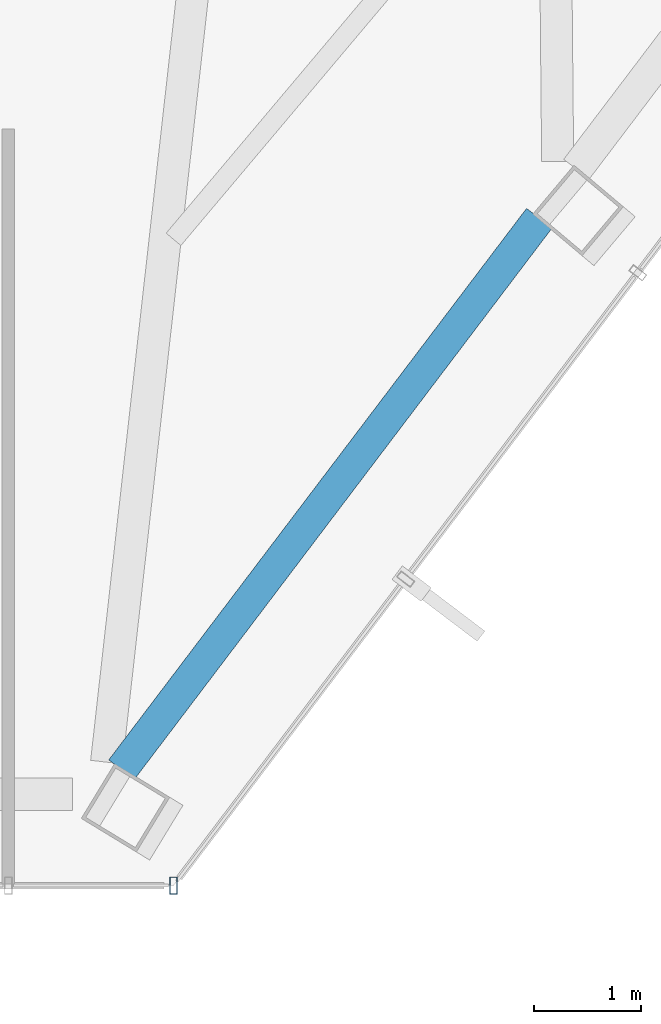
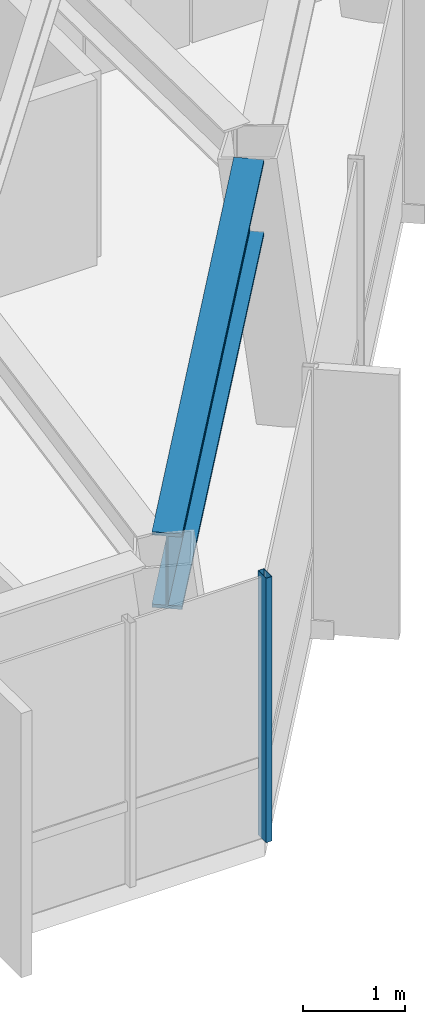
# One storey, part 7 of 27: 1 beam, 1 member, 1 element without a shape of its own.
"""IFC4 building model written with IfcOpenShell, lengths in metres."""

from ifc_helpers import new_model, si_unit, direction, frame, origin, origin_2d, place, context, subcontext, project, spatial, hollow_rectangle, i_section, extrude, material, layer, layer_set, material_profile, profile_set, type_object, element, aggregate, save


model = new_model("IFC4")

# Units and contexts
model_context = context("Model", 3, precision=1e-05, world=origin(), true_north=direction((0.0, 1.0)))
body_context = subcontext(model_context, "Body", "Model", "MODEL_VIEW")
ifc_project = project(units=[si_unit("LENGTHUNIT", "METRE"), si_unit("AREAUNIT", "SQUARE_METRE"), si_unit("VOLUMEUNIT", "CUBIC_METRE"), si_unit("PLANEANGLEUNIT", "RADIAN"), si_unit("MASSUNIT", "GRAM", prefix="KILO")], contexts=[model_context])

# Site, building, storey
site_placement = place(None, origin())
site = spatial("IfcSite", under=ifc_project, at=site_placement, CompositionType="ELEMENT")
building_placement = place(site_placement, origin())
building = spatial("IfcBuilding", under=site, at=building_placement, Name="Zarrinselat Tower", CompositionType="ELEMENT")
storey_placement = place(building_placement, frame((0.0, 0.0, 215.56005859375)))
storey = spatial("IfcBuildingStorey", under=building, at=storey_placement, Name="L53", CompositionType="ELEMENT", Elevation=215.56005859375)

# Beam
ifc_material_1 = material(Name="Steel S460M", Category="steel")
ifc_material_profile_1 = material_profile(ifc_material_1, i_section(OverallWidth=0.302001953125, OverallDepth=0.909912109375, WebThickness=0.02099609375, FlangeThickness=0.0400390625, at=origin_2d()), Name="HEM 900")
ifc_profile_set_1 = profile_set([ifc_material_profile_1], Name="Steel S460M")
beam_type = type_object("IfcBeamType", Name="BM-HEM900", PredefinedType="BEAM", material=ifc_profile_set_1)
beam_placement = place(storey_placement, frame((44.361083984375, 18.996337890625, 2.724853515625), z_axis=(0.603878711073, 0.797076221144, 0.0), x_axis=(-0.797076221144, 0.603878711073, 0.0)))
element("IfcBeam", 1, at=beam_placement, inside=storey, type_object=beam_type, Name="L53 Perimeter Spandrel Girder SP11", PredefinedType="BEAM", context=body_context, shape_type="SweptSolid", body=[
    extrude(i_section(OverallWidth=0.302001953125, OverallDepth=0.909912109375, WebThickness=0.02099609375, FlangeThickness=0.0400390625, at=origin_2d()), origin(), (0.0, 0.0, 1.0), 6.48388671875),
])

# Curtain wall, member
ifc_material_2 = material(Name="Extruded Aluminium Alloy EN AW-6063 T6", Category="aluminium")
ifc_layer = layer(ifc_material_2, 0.169921875)
ifc_layer_set = layer_set([ifc_layer], Name="Extruded Aluminium Alloy EN AW-6063 T6")
curtain_wall_type = type_object("IfcCurtainWallType", Name="CWS-RES", PredefinedType="NOTDEFINED", material=ifc_layer_set)
curtain_wall_placement = place(storey_placement, origin())
curtain_wall = element("IfcCurtainWall", 2, at=curtain_wall_placement, inside=storey, type_object=curtain_wall_type, Name="L53 Unitised Curtain Wall CW-L53-E04", PredefinedType="NOTDEFINED")
ifc_material_3 = material(Name="Extruded Aluminium Alloy EN AW-6063 T6", Category="aluminium")
ifc_material_profile_2 = material_profile(ifc_material_3, hollow_rectangle(XDim=0.070068359375, YDim=0.159912109375, WallThickness=0.00390625, at=origin_2d()), Name="RHS 160x70x4")
ifc_profile_set_2 = profile_set([ifc_material_profile_2], Name="Extruded Aluminium Alloy EN AW-6063 T6")
member_type = type_object("IfcMemberType", Name="MEM-CW-MUL2", PredefinedType="MULLION", material=ifc_profile_set_2)
member_placement = place(storey_placement, frame((44.84912109375, 17.910400390625, 0.0), z_axis=(0.0, 0.0, 1.0), x_axis=(1.0, 0.0, 0.0)))
member = element("IfcMember", 3, at=member_placement, type_object=member_type, Name="CW-L53-E04 Mullion 5", PredefinedType="MULLION", context=body_context, shape_type="SweptSolid", body=[
    extrude(hollow_rectangle(XDim=0.070068359375, YDim=0.159912109375, WallThickness=0.00390625, at=origin_2d()), origin(), (0.0, 0.0, 1.0), 3.179931640625),
])
aggregate(curtain_wall, [member])

save(model, "model.ifc")
